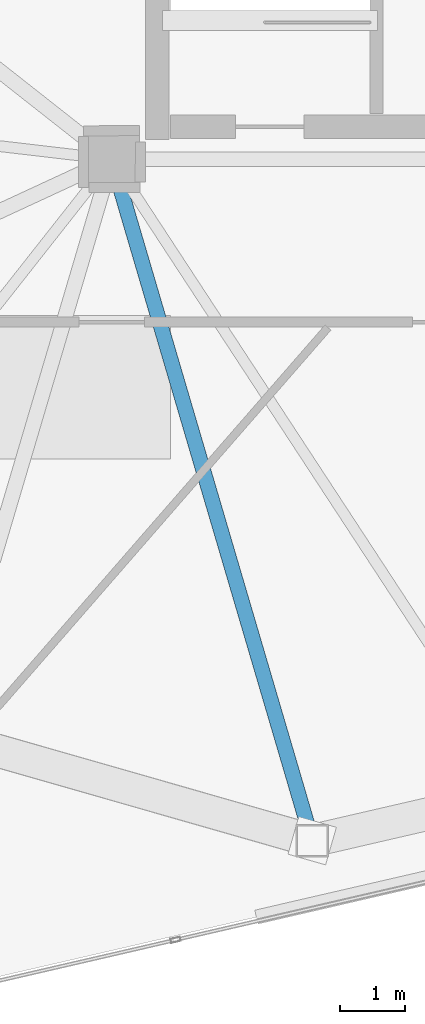
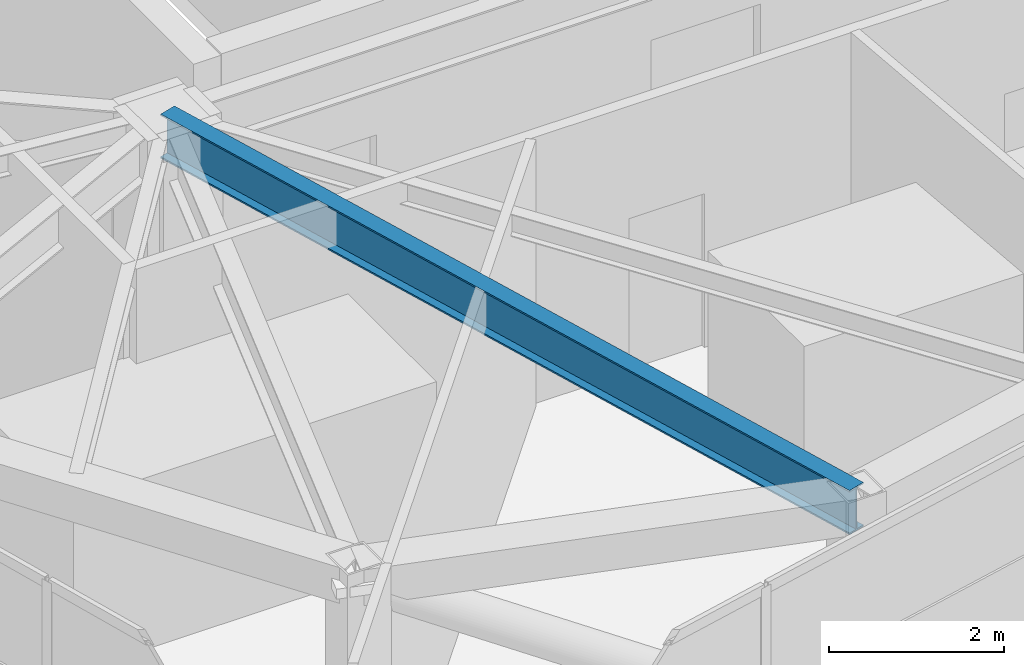
# One storey, part 4 of 20: 1 beam.
"""IFC4 building model written with IfcOpenShell, lengths in metres."""

from ifc_helpers import new_model, si_unit, direction, frame, origin, origin_2d, place, context, subcontext, project, spatial, i_section, extrude, material, material_profile, profile_set, type_object, element, save


model = new_model("IFC4")

# Units and contexts
model_context = context("Model", 3, precision=1e-05, world=origin(), true_north=direction((0.0, 1.0)))
body_context = subcontext(model_context, "Body", "Model", "MODEL_VIEW")
ifc_project = project(units=[si_unit("LENGTHUNIT", "METRE"), si_unit("AREAUNIT", "SQUARE_METRE"), si_unit("VOLUMEUNIT", "CUBIC_METRE"), si_unit("PLANEANGLEUNIT", "RADIAN"), si_unit("MASSUNIT", "GRAM", prefix="KILO")], contexts=[model_context])

# Site, building, storey
site_placement = place(None, origin())
site = spatial("IfcSite", under=ifc_project, at=site_placement, CompositionType="ELEMENT")
building_placement = place(site_placement, origin())
building = spatial("IfcBuilding", under=site, at=building_placement, Name="Talar Marvaseh", CompositionType="ELEMENT")
storey_placement = place(building_placement, frame((0.0, 0.0, 312.0)))
storey = spatial("IfcBuildingStorey", under=building, at=storey_placement, Name="L83", CompositionType="ELEMENT", Elevation=312.0)

# Beam
ifc_material = material(Name="Steel S355", Category="steel")
ifc_material_profile = material_profile(ifc_material, i_section(OverallWidth=0.22998046875, OverallDepth=0.616943359375, WebThickness=0.01318359375, FlangeThickness=0.022216796875, at=origin_2d()), Name="W610x140")
ifc_profile_set = profile_set([ifc_material_profile], Name="Steel S355")
beam_type = type_object("IfcBeamType", Name="Zone 4 Radial Floor Girder W610x140", PredefinedType="BEAM", material=ifc_profile_set)
beam_placement = place(storey_placement, frame((21.77587890625, 15.0400390625, 3.41650390625), z_axis=(-0.28212146763, 0.959378693479, 0.0), x_axis=(-0.959378693479, -0.28212146763, 0.0)))
element("IfcBeam", 1, at=beam_placement, inside=storey, type_object=beam_type, Name="L83 Zone 4 Radial Floor Girder W610x140", PredefinedType="BEAM", context=body_context, shape_type="SweptSolid", body=[
    extrude(i_section(OverallWidth=0.22998046875, OverallDepth=0.616943359375, WebThickness=0.01318359375, FlangeThickness=0.022216796875, at=origin_2d()), origin(), (0.0, 0.0, 1.0), 10.90283203125),
])

save(model, "model.ifc")
